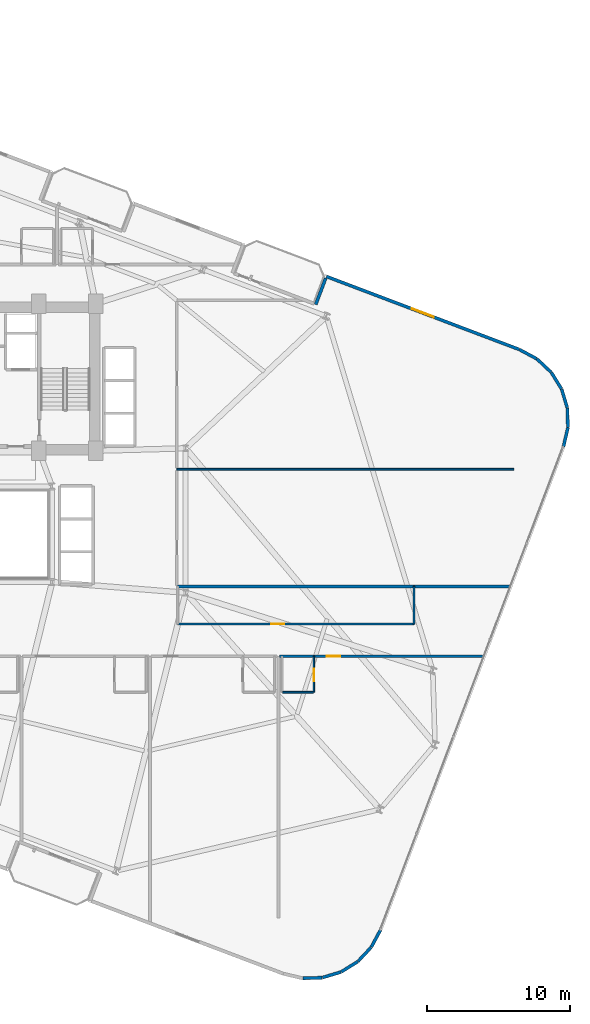
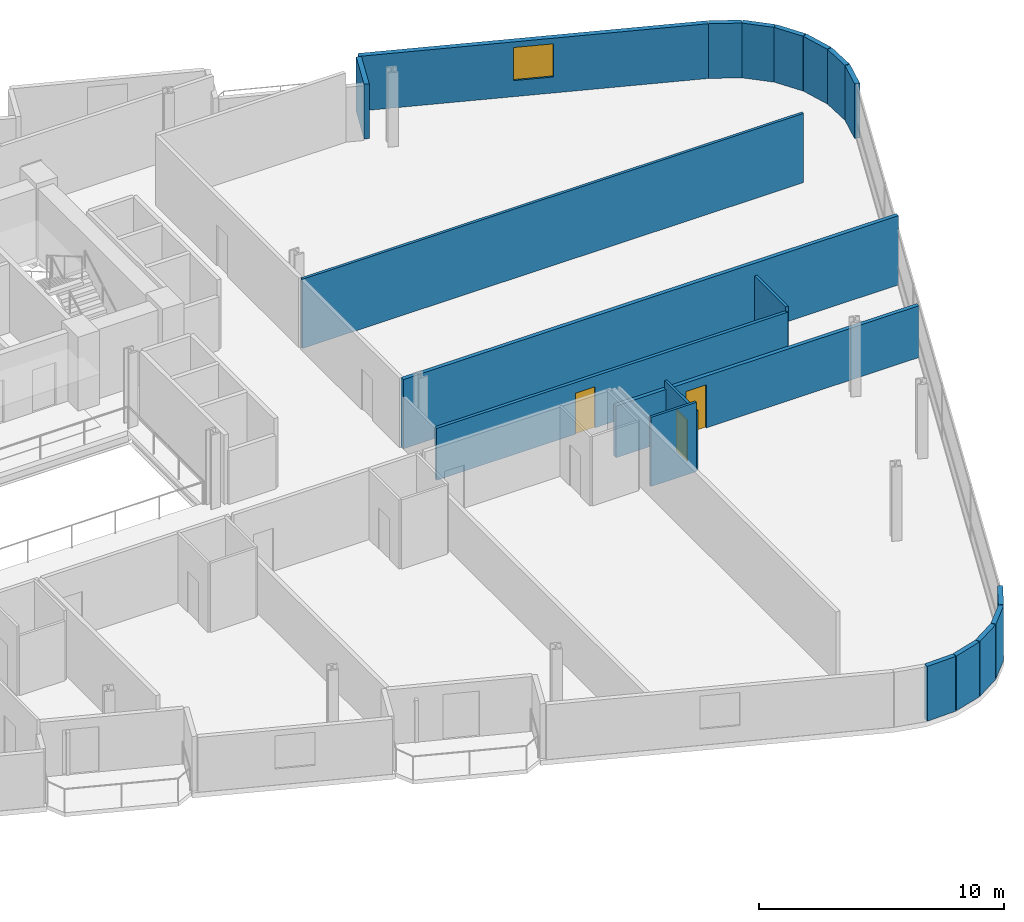
# One storey, part 22 of 26: 20 walls, 3 doors, 1 window, 4 openings.
"""IFC4 building model written with IfcOpenShell, lengths in metres."""

from ifc_helpers import new_model, si_unit, direction, frame, frame_2d, origin, place, context, subcontext, project, spatial, rectangle, extrude, material, layer, layer_set, type_object, element, fill, save


model = new_model("IFC4")

# Units and contexts
model_context = context("Model", 3, precision=1e-05, world=origin(), true_north=direction((0.0, 1.0)))
body_context = subcontext(model_context, "Body", "Model", "MODEL_VIEW")
ifc_project = project(units=[si_unit("LENGTHUNIT", "METRE"), si_unit("AREAUNIT", "SQUARE_METRE"), si_unit("VOLUMEUNIT", "CUBIC_METRE"), si_unit("PLANEANGLEUNIT", "RADIAN"), si_unit("MASSUNIT", "GRAM", prefix="KILO")], contexts=[model_context])

# Site, building, storey
site_placement = place(None, origin())
site = spatial("IfcSite", under=ifc_project, at=site_placement, CompositionType="ELEMENT")
building_placement = place(site_placement, origin())
building = spatial("IfcBuilding", under=site, at=building_placement, Name="Varnelok Gate Tower", CompositionType="ELEMENT")
storey_placement = place(building_placement, frame((0.0, 0.0, 109.5)))
storey = spatial("IfcBuildingStorey", under=building, at=storey_placement, Name="L27", CompositionType="ELEMENT", Elevation=109.5)

# Walls
ifc_material_1 = material(Name="Concrete C45/55", Category="concrete")
ifc_layer_1 = layer(ifc_material_1, 0.219970703125)
ifc_layer_set_1 = layer_set([ifc_layer_1], Name="Concrete C45/55")
wall_type_1 = type_object("IfcWallType", Name="EW-BALC-220", PredefinedType="SOLIDWALL", material=ifc_layer_set_1)
wall_1_placement = place(storey_placement, frame((62.2158203125, -8.209228515625, 0.0), z_axis=(0.0, 0.0, 1.0), x_axis=(0.999523971993, 0.03085173271, 0.0)))
element("IfcWall", 1, at=wall_1_placement, inside=storey, type_object=wall_type_1, Name="L27 Perimeter Facade Closure Wall 18", PredefinedType="SOLIDWALL", context=body_context, shape_type="SweptSolid", body=[
    extrude(rectangle(XDim=1.353271484375, YDim=0.219970703125, at=frame_2d((0.6767578125, 0.0))), origin(), (0.0, 0.0, 1.0), 2.72998046875),
])
for number, where, z_axis, x_axis, name in (
    (2, (63.59228515625, -8.160400390625, 0.0), (0.0, 0.0, 1.0), (0.957532798303, 0.28832436625, 0.0), "L27 Perimeter Facade Closure Wall 19"),
    (3, (64.9091796875, -7.757080078125, 0.0), (0.0, 0.0, 1.0), (0.850180541217, 0.526491260456, 0.0), "L27 Perimeter Facade Closure Wall 20"),
):
    element("IfcWall", number, at=place(storey_placement, frame(where, z_axis=z_axis, x_axis=x_axis)), inside=storey, type_object=wall_type_1, Name=name, PredefinedType="SOLIDWALL", context=body_context, shape_type="SweptSolid", body=[
        extrude(rectangle(XDim=1.35302734375, YDim=0.219970703125, at=frame_2d((0.676513671875, 0.0))), origin(), (0.0, 0.0, 1.0), 2.72998046875),
    ])
wall_2_placement = place(storey_placement, frame((66.07666015625, -7.026611328125, 0.0), z_axis=(0.0, 0.0, 1.0), x_axis=(0.685032599484, 0.7285124142, 0.0)))
element("IfcWall", 4, at=wall_2_placement, inside=storey, type_object=wall_type_1, Name="L27 Perimeter Facade Closure Wall 21", PredefinedType="SOLIDWALL", context=body_context, shape_type="SweptSolid", body=[
    extrude(rectangle(XDim=1.353271484375, YDim=0.219970703125, at=frame_2d((0.6767578125, 0.0))), origin(), (0.0, 0.0, 1.0), 2.72998046875),
])
wall_3_placement = place(storey_placement, frame((67.015380859375, -6.018798828125, 0.0), z_axis=(0.0, 0.0, 1.0), x_axis=(0.473077364598, 0.881020889142, 0.0)))
element("IfcWall", 5, at=wall_3_placement, inside=storey, type_object=wall_type_1, Name="L27 Perimeter Facade Closure Wall 22", PredefinedType="SOLIDWALL", context=body_context, shape_type="SweptSolid", body=[
    extrude(rectangle(XDim=1.35302734375, YDim=0.219970703125, at=frame_2d((0.676513671875, 0.0))), origin(), (0.0, 0.0, 1.0), 2.72998046875),
])
wall_4_placement = place(storey_placement, frame((80.47265625, 29.0283203125, 0.0), z_axis=(0.0, 0.0, 1.0), x_axis=(0.228881345311, 0.973454328548, 0.0)))
element("IfcWall", 6, at=wall_4_placement, inside=storey, type_object=wall_type_1, Name="L27 Perimeter Facade Closure Wall 23", PredefinedType="SOLIDWALL", context=body_context, shape_type="SweptSolid", body=[
    extrude(rectangle(XDim=1.378173828125, YDim=0.219970703125, at=frame_2d((0.68896484375, 0.0))), origin(), (0.0, 0.0, 1.0), 2.72998046875),
])
for number, where, z_axis, x_axis, name in (
    (7, (80.787353515625, 30.39501953125, 0.0), (0.0, 0.0, 1.0), (-0.030857297317, 0.999523800218, 0.0), "L27 Perimeter Facade Closure Wall 24"),
    (8, (80.738525390625, 31.771240234375, 0.0), (0.0, 0.0, 1.0), (-0.28832436625, 0.957532798303, 0.0), "L27 Perimeter Facade Closure Wall 25"),
    (9, (80.335205078125, 33.088134765625, 0.0), (0.0, 0.0, 1.0), (-0.526491260456, 0.850180541217, 0.0), "L27 Perimeter Facade Closure Wall 26"),
    (10, (79.6044921875, 34.255615234375, 0.0), (0.0, 0.0, 1.0), (-0.72842773461, 0.685122642634, 0.0), "L27 Perimeter Facade Closure Wall 27"),
):
    element("IfcWall", number, at=place(storey_placement, frame(where, z_axis=z_axis, x_axis=x_axis)), inside=storey, type_object=wall_type_1, Name=name, PredefinedType="SOLIDWALL", context=body_context, shape_type="SweptSolid", body=[
        extrude(rectangle(XDim=1.35302734375, YDim=0.219970703125, at=frame_2d((0.676513671875, 0.0))), origin(), (0.0, 0.0, 1.0), 2.72998046875),
    ])
wall_5_placement = place(storey_placement, frame((78.5966796875, 35.1943359375, 0.0), z_axis=(0.0, 0.0, 1.0), x_axis=(-0.880948732004, 0.473211719614, 0.0)))
element("IfcWall", 11, at=wall_5_placement, inside=storey, type_object=wall_type_1, Name="L27 Perimeter Facade Closure Wall 28", PredefinedType="SOLIDWALL", context=body_context, shape_type="SweptSolid", body=[
    extrude(rectangle(XDim=1.361083984375, YDim=0.219970703125, at=frame_2d((0.6806640625, 0.0))), origin(), (0.0, 0.0, 1.0), 2.72998046875),
])

# Wall, opening, window
wall_6_placement = place(storey_placement, frame((77.37451171875, 35.84716796875, 0.0), z_axis=(0.0, 0.0, 1.0), x_axis=(-0.935222448475, 0.354060689526, 0.0)))
wall_6 = element("IfcWall", 12, at=wall_6_placement, inside=storey, type_object=wall_type_1, Name="L27 Perimeter Facade Closure Wall 29", PredefinedType="SOLIDWALL", context=body_context, shape_type="SweptSolid", body=[
    extrude(rectangle(XDim=14.447265625, YDim=0.219970703125, at=frame_2d((7.2236328125, 0.0))), origin(), (0.0, 0.0, 1.0), 2.72998046875),
])
opening_1_placement = place(wall_6_placement, frame((6.398681640625, 0.0, 0.800048828125)))
opening_1 = element("IfcOpeningElement", 13, at=opening_1_placement, cuts=wall_6, Name="Opening WN3", PredefinedType="OPENING", context=body_context, shape_type="SweptSolid", body=[
    extrude(rectangle(XDim=1.64990234375, YDim=1.64990234375, at=frame_2d((0.824951171875, 0.824951171875))), frame((0.0, 0.119873046875, 0.0), z_axis=(0.0, -1.0, 0.0), x_axis=(1.0, 0.0, 0.0)), (0.0, 0.0, 1.0), 0.239990234375),
])
ifc_material_2 = material(Name="Low-E Laminated Double Glazing IGU", Category="glass")
window_type = type_object("IfcWindowType", Name="WN-HTL-1650", PartitioningType="SINGLE_PANEL", PredefinedType="WINDOW", material=ifc_material_2)
window_placement = place(opening_1_placement, origin())
window = element("IfcWindow", 14, at=window_placement, inside=storey, type_object=window_type, Name="L27 Perimeter Vision Window 29", OverallHeight=1.64990234375, OverallWidth=1.64990234375, PartitioningType="SINGLE_PANEL", PredefinedType="WINDOW", context=body_context, shape_type="SweptSolid", body=[
    extrude(rectangle(XDim=1.64990234375, YDim=1.64990234375, at=frame_2d((0.824951171875, 0.824951171875))), frame((0.0, 0.030029296875, 0.0), z_axis=(0.0, -1.0, 0.0), x_axis=(1.0, 0.0, 0.0)), (0.0, 0.0, 1.0), 0.06005859375),
])
fill(opening_1, window)

# Wall
wall_7_placement = place(storey_placement, frame((63.81884765625, 40.845458984375, 0.0), z_axis=(0.0, 0.0, 1.0), x_axis=(-0.354128791944, -0.935196663123, 0.0)))
element("IfcWall", 15, at=wall_7_placement, inside=storey, type_object=wall_type_1, Name="L27 Perimeter Facade Closure Wall 30", PredefinedType="SOLIDWALL", context=body_context, shape_type="SweptSolid", body=[
    extrude(rectangle(XDim=1.97509765625, YDim=0.219970703125, at=frame_2d((0.987548828125, 0.0))), origin(), (0.0, 0.0, 1.0), 2.72998046875),
])

# Wall, opening, door
ifc_material_3 = material(Name="Gypsum Plasterboard Acoustic Partition", Category="gypsum")
ifc_layer_2 = layer(ifc_material_3, 0.179931640625)
ifc_layer_set_2 = layer_set([ifc_layer_2], Name="Gypsum Plasterboard Acoustic Partition")
wall_type_2 = type_object("IfcWallType", Name="PW-CORR-180", PredefinedType="PARTITIONING", material=ifc_layer_set_2)
wall_8_placement = place(storey_placement, frame((60.580078125, 14.35009765625, 0.0), z_axis=(0.0, 0.0, 1.0), x_axis=(1.0, 0.0, 0.0)))
wall_8 = element("IfcWall", 16, at=wall_8_placement, inside=storey, type_object=wall_type_2, Name="Interior Partition", PredefinedType="PARTITIONING", context=body_context, shape_type="SweptSolid", body=[
    extrude(rectangle(XDim=14.275146484375, YDim=0.179931640625, at=frame_2d((7.1376953125, 0.0))), origin(), (0.0, 0.0, 1.0), 2.580078125),
])
opening_2_placement = place(wall_8_placement, frame((3.31103515625, 0.0, 0.0)))
opening_2 = element("IfcOpeningElement", 17, at=opening_2_placement, cuts=wall_8, Name="Opening D-HT", PredefinedType="OPENING", context=body_context, shape_type="SweptSolid", body=[
    extrude(rectangle(XDim=0.949951171875, YDim=2.14990234375, at=frame_2d((0.47509765625, 1.074951171875))), frame((0.0, 0.099853515625, 0.0), z_axis=(0.0, -1.0, 0.0), x_axis=(1.0, 0.0, 0.0)), (0.0, 0.0, 1.0), 0.199951171875),
])
ifc_material_4 = material(Name="Engineered Hardwood Timber", Category="wood")
door_type_1 = type_object("IfcDoorType", Name="DR-HTL-950", OperationType="NOTDEFINED", PredefinedType="DOOR", material=ifc_material_4)
door_1_placement = place(opening_2_placement, origin())
door_1 = element("IfcDoor", 18, at=door_1_placement, inside=storey, type_object=door_type_1, Name="L27 Guest Room 07 Entrance Door", OperationType="SINGLE_SWING_RIGHT", OverallHeight=2.14990234375, OverallWidth=0.949951171875, PredefinedType="DOOR", context=body_context, shape_type="SweptSolid", body=[
    extrude(rectangle(XDim=0.949951171875, YDim=2.14990234375, at=frame_2d((0.47509765625, 1.074951171875))), frame((0.0, 0.02490234375, 0.0), z_axis=(0.0, -1.0, 0.0), x_axis=(1.0, 0.0, 0.0)), (0.0, 0.0, 1.0), 0.050048828125),
])
fill(opening_2, door_1)

# Walls
wall_9_placement = place(storey_placement, frame((53.389892578125, 19.239990234375, 0.0), z_axis=(0.0, 0.0, 1.0), x_axis=(1.0, 0.0, 0.0)))
element("IfcWall", 19, at=wall_9_placement, inside=storey, type_object=wall_type_2, Name="Interior Partition", PredefinedType="PARTITIONING", context=body_context, shape_type="SweptSolid", body=[
    extrude(rectangle(XDim=23.316650390625, YDim=0.179931640625, at=frame_2d((11.658203125, 0.0))), origin(), (0.0, 0.0, 1.0), 3.449951171875),
])
ifc_layer_3 = layer(ifc_material_3, 0.114990234375)
ifc_layer_set_3 = layer_set([ifc_layer_3], Name="Gypsum Plasterboard Acoustic Partition")
wall_type_3 = type_object("IfcWallType", Name="PW-ENS-125", PredefinedType="PARTITIONING", material=ifc_layer_set_3)
wall_10_placement = place(storey_placement, frame((60.800048828125, 11.830078125, 0.0), z_axis=(0.0, 0.0, 1.0), x_axis=(1.0, 0.0, 0.0)))
element("IfcWall", 20, at=wall_10_placement, inside=storey, type_object=wall_type_3, Name="Interior Partition", PredefinedType="PARTITIONING", context=body_context, shape_type="SweptSolid", body=[
    extrude(rectangle(XDim=2.14990234375, YDim=0.114990234375, at=frame_2d((1.074951171875, 0.0))), origin(), (0.0, 0.0, 1.0), 3.449951171875),
])

# Wall, opening, door
wall_11_placement = place(storey_placement, frame((62.989990234375, 11.830078125, 0.0), z_axis=(0.0, 0.0, 1.0), x_axis=(0.0, 1.0, 0.0)))
wall_11 = element("IfcWall", 21, at=wall_11_placement, inside=storey, type_object=wall_type_3, Name="Interior Partition", PredefinedType="PARTITIONING", context=body_context, shape_type="SweptSolid", body=[
    extrude(rectangle(XDim=2.52001953125, YDim=0.114990234375, at=frame_2d((1.260009765625, 0.0))), origin(), (0.0, 0.0, 1.0), 2.971923828125),
])
opening_3_placement = place(wall_11_placement, frame((0.760009765625, 0.0, 0.0)))
opening_3 = element("IfcOpeningElement", 22, at=opening_3_placement, cuts=wall_11, Name="Opening D-WC", PredefinedType="OPENING", context=body_context, shape_type="SweptSolid", body=[
    extrude(rectangle(XDim=0.89990234375, YDim=2.050048828125, at=frame_2d((0.449951171875, 1.02490234375))), frame((0.0, 0.0673828125, 0.0), z_axis=(0.0, -1.0, 0.0), x_axis=(1.0, 0.0, 0.0)), (0.0, 0.0, 1.0), 0.135009765625),
])
door_type_2 = type_object("IfcDoorType", Name="DR-BATH-900", OperationType="NOTDEFINED", PredefinedType="DOOR", material=ifc_material_4)
door_2_placement = place(opening_3_placement, origin())
door_2 = element("IfcDoor", 23, at=door_2_placement, inside=storey, type_object=door_type_2, Name="L27 Guest En-Suite 07 Door", OperationType="SINGLE_SWING_LEFT", OverallHeight=2.050048828125, OverallWidth=0.89990234375, PredefinedType="DOOR", context=body_context, shape_type="SweptSolid", body=[
    extrude(rectangle(XDim=0.89990234375, YDim=2.050048828125, at=frame_2d((0.449951171875, 1.02490234375))), frame((0.0, 0.02490234375, 0.0), z_axis=(0.0, -1.0, 0.0), x_axis=(1.0, 0.0, 0.0)), (0.0, 0.0, 1.0), 0.050048828125),
])
fill(opening_3, door_2)

# Walls
ifc_layer_4 = layer(ifc_material_3, 0.125)
ifc_layer_set_4 = layer_set([ifc_layer_4], Name="Gypsum Plasterboard Acoustic Partition")
wall_type_4 = type_object("IfcWallType", Name="PW-PART-125", PredefinedType="PARTITIONING", material=ifc_layer_set_4)
wall_12_placement = place(storey_placement, frame((70.0, 16.610107421875, 0.0), z_axis=(0.0, 0.0, 1.0), x_axis=(0.0, 1.0, 0.0)))
element("IfcWall", 24, at=wall_12_placement, inside=storey, type_object=wall_type_4, Name="Interior Partition", PredefinedType="PARTITIONING", context=body_context, shape_type="SweptSolid", body=[
    extrude(rectangle(XDim=2.6298828125, YDim=0.125, at=frame_2d((1.31494140625, 0.0))), origin(), (0.0, 0.0, 1.0), 2.823974609375),
])
wall_13_placement = place(storey_placement, frame((53.389892578125, 27.449951171875, 0.0), z_axis=(0.0, 0.0, 1.0), x_axis=(1.0, 0.0, 0.0)))
element("IfcWall", 25, at=wall_13_placement, inside=storey, type_object=wall_type_4, Name="Interior Partition", PredefinedType="PARTITIONING", context=body_context, shape_type="SweptSolid", body=[
    extrude(rectangle(XDim=23.610107421875, YDim=0.125, at=frame_2d((11.80517578125, 0.0))), origin(), (0.0, 0.0, 1.0), 3.449951171875),
])

# Wall, opening, door
ifc_layer_5 = layer(ifc_material_3, 0.14990234375)
ifc_layer_set_5 = layer_set([ifc_layer_5], Name="Gypsum Plasterboard Acoustic Partition")
wall_type_5 = type_object("IfcWallType", Name="PW-PART-150", PredefinedType="PARTITIONING", material=ifc_layer_set_5)
wall_14_placement = place(storey_placement, frame((53.449951171875, 16.610107421875, 0.0), z_axis=(0.0, 0.0, 1.0), x_axis=(1.0, 0.0, 0.0)))
wall_14 = element("IfcWall", 26, at=wall_14_placement, inside=storey, type_object=wall_type_5, Name="Interior Partition", PredefinedType="PARTITIONING", context=body_context, shape_type="SweptSolid", body=[
    extrude(rectangle(XDim=16.550048828125, YDim=0.14990234375, at=frame_2d((8.27490234375, 0.0))), origin(), (0.0, 0.0, 1.0), 2.580078125),
])
opening_4_placement = place(wall_14_placement, frame((6.547607421875, 0.0, 0.0)))
opening_4 = element("IfcOpeningElement", 27, at=opening_4_placement, cuts=wall_14, Name="Opening D-I3", PredefinedType="OPENING", context=body_context, shape_type="SweptSolid", body=[
    extrude(rectangle(XDim=0.919921875, YDim=2.050048828125, at=frame_2d((0.4599609375, 1.02490234375))), frame((0.0, 0.0849609375, 0.0), z_axis=(0.0, -1.0, 0.0), x_axis=(1.0, 0.0, 0.0)), (0.0, 0.0, 1.0), 0.169921875),
])
door_type_3 = type_object("IfcDoorType", Name="DR-INT-920", OperationType="NOTDEFINED", PredefinedType="DOOR", material=ifc_material_4)
door_3_placement = place(opening_4_placement, origin())
door_3 = element("IfcDoor", 28, at=door_3_placement, inside=storey, type_object=door_type_3, Name="L27 Atrium Room 2 Door", OperationType="SINGLE_SWING_LEFT", OverallHeight=2.050048828125, OverallWidth=0.919921875, PredefinedType="DOOR", context=body_context, shape_type="SweptSolid", body=[
    extrude(rectangle(XDim=0.919921875, YDim=2.050048828125, at=frame_2d((0.4599609375, 1.02490234375))), frame((0.0, 0.02490234375, 0.0), z_axis=(0.0, -1.0, 0.0), x_axis=(1.0, 0.0, 0.0)), (0.0, 0.0, 1.0), 0.050048828125),
])
fill(opening_4, door_3)

save(model, "model.ifc")
